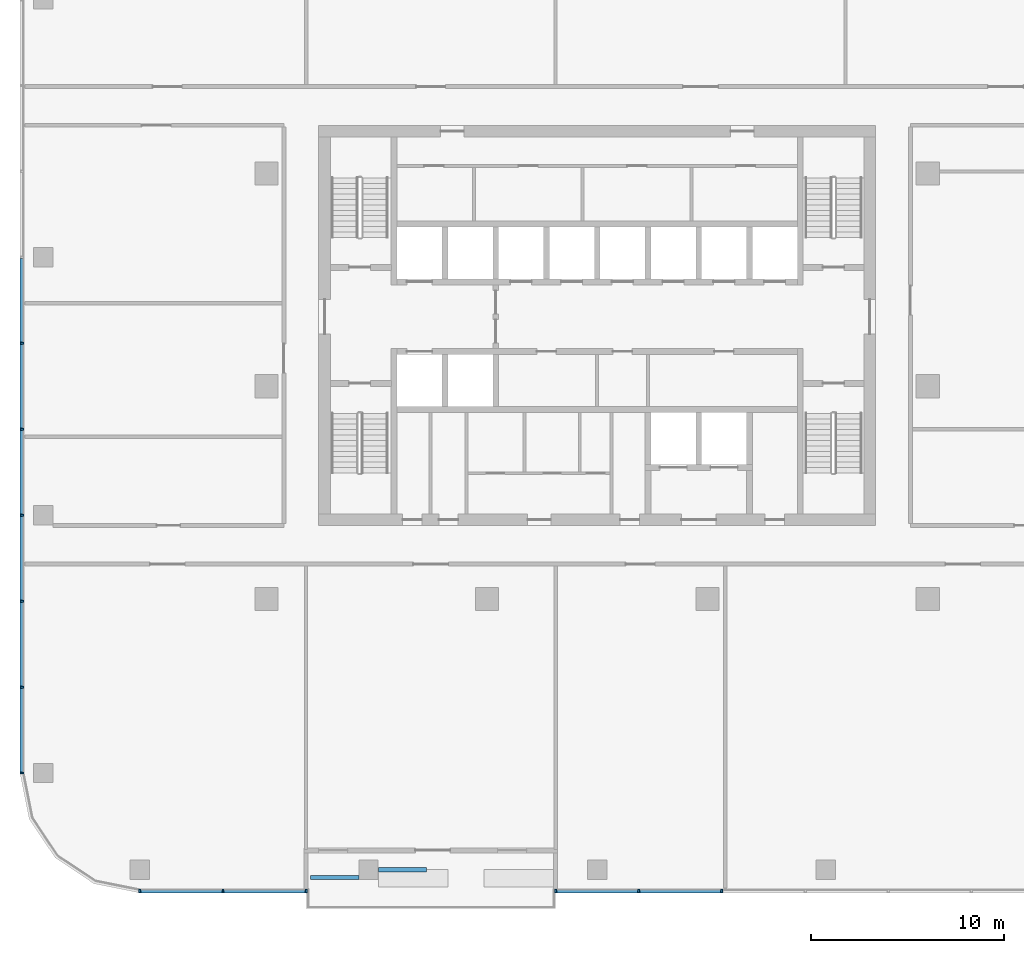
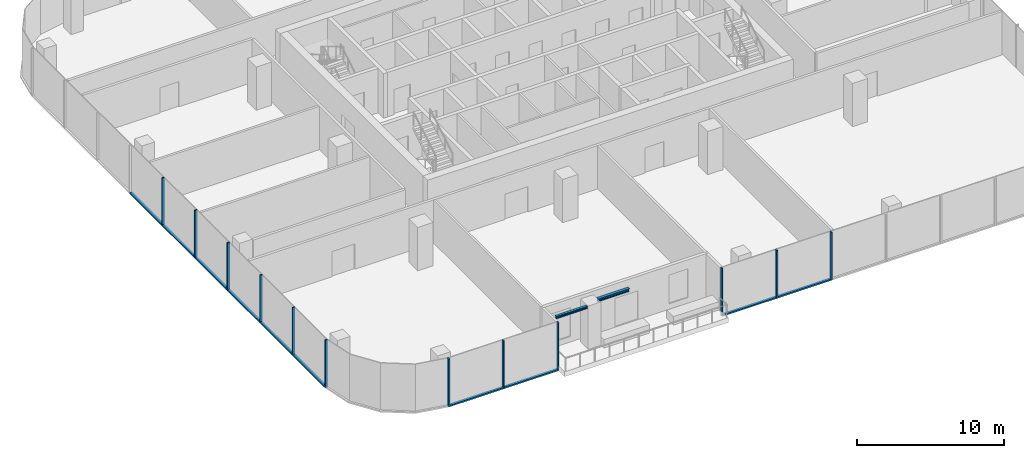
# One storey, part 2 of 13: 22 members, 2 beams, 3 elements without a shape of their own.
"""IFC4 building model written with IfcOpenShell, lengths in metres."""

from ifc_helpers import new_model, si_unit, direction, frame, origin, origin_2d, place, context, subcontext, project, spatial, rectangle, i_section, extrude, material, material_profile, profile_set, type_object, element, aggregate, save


model = new_model("IFC4")

# Units and contexts
model_context = context("Model", 3, precision=1e-05, world=origin(), true_north=direction((0.0, 1.0)))
body_context = subcontext(model_context, "Body", "Model", "MODEL_VIEW")
ifc_project = project(units=[si_unit("LENGTHUNIT", "METRE"), si_unit("AREAUNIT", "SQUARE_METRE"), si_unit("VOLUMEUNIT", "CUBIC_METRE"), si_unit("PLANEANGLEUNIT", "RADIAN"), si_unit("MASSUNIT", "GRAM", prefix="KILO")], contexts=[model_context])

# Site, building, storey
site_placement = place(None, origin())
site = spatial("IfcSite", under=ifc_project, at=site_placement, CompositionType="ELEMENT")
building_placement = place(site_placement, origin())
building = spatial("IfcBuilding", under=site, at=building_placement, Name="Mopane Tessera Tower", CompositionType="ELEMENT")
storey_placement = place(building_placement, frame((0.0, 0.0, 307.39990234375)))
storey = spatial("IfcBuildingStorey", under=building, at=storey_placement, Name="L67", CompositionType="ELEMENT", Elevation=307.39990234375)

# Curtain wall, members
ifc_material_1 = material(Name="Aluminium frame", Category="aluminium")
curtain_wall_type = type_object("IfcCurtainWallType", Name="Unitised curtain wall", PredefinedType="NOTDEFINED", material=ifc_material_1)
curtain_wall_1_placement = place(storey_placement, origin())
curtain_wall_1 = element("IfcCurtainWall", 1, at=curtain_wall_1_placement, inside=storey, type_object=curtain_wall_type, Name="e:cw:L67:S:0", PredefinedType="NOTDEFINED")
ifc_material_2 = material(Name="Aluminium frame", Category="aluminium")
ifc_material_profile_1 = material_profile(ifc_material_2, rectangle(XDim=0.10009765625, YDim=0.199951171875, at=origin_2d()))
ifc_profile_set_1 = profile_set([ifc_material_profile_1], Name="Aluminium frame")
member_type_1 = type_object("IfcMemberType", Name="Aluminium mullion 100 x 200", PredefinedType="MULLION", material=ifc_profile_set_1)
member_1_placement = place(storey_placement, frame((-23.64990234375, -26.10009765625, -0.39990234375), z_axis=(0.0, 0.0, 1.0), x_axis=(1.0, 0.0, 0.0)))
member_1 = element("IfcMember", 2, at=member_1_placement, type_object=member_type_1, Name="e:cw:L67:S:0:mu0", PredefinedType="MULLION", context=body_context, shape_type="SweptSolid", body=[
    extrude(rectangle(XDim=0.10009765625, YDim=0.199951171875, at=origin_2d()), origin(), (0.0, 0.0, 1.0), 4.0),
])
member_2_placement = place(storey_placement, frame((-19.35009765625, -26.10009765625, -0.39990234375), z_axis=(0.0, 0.0, 1.0), x_axis=(1.0, 0.0, 0.0)))
member_2 = element("IfcMember", 3, at=member_2_placement, type_object=member_type_1, Name="e:cw:L67:S:0:mu1", PredefinedType="MULLION", context=body_context, shape_type="SweptSolid", body=[
    extrude(rectangle(XDim=0.10009765625, YDim=0.199951171875, at=origin_2d()), origin(), (0.0, 0.0, 1.0), 4.0),
])
member_3_placement = place(storey_placement, frame((-15.050048828125, -26.10009765625, -0.39990234375), z_axis=(0.0, 0.0, 1.0), x_axis=(1.0, 0.0, 0.0)))
member_3 = element("IfcMember", 4, at=member_3_placement, type_object=member_type_1, Name="e:cw:L67:S:0:mu2", PredefinedType="MULLION", context=body_context, shape_type="SweptSolid", body=[
    extrude(rectangle(XDim=0.10009765625, YDim=0.199951171875, at=origin_2d()), origin(), (0.0, 0.0, 1.0), 4.0),
])

curtain_wall_2_placement = place(storey_placement, origin())
curtain_wall_2 = element("IfcCurtainWall", 5, at=curtain_wall_2_placement, inside=storey, type_object=curtain_wall_type, Name="e:cw:L67:S:5", PredefinedType="NOTDEFINED")
member_4_placement = place(storey_placement, frame((-2.14990234375, -26.10009765625, -0.39990234375), z_axis=(0.0, 0.0, 1.0), x_axis=(1.0, 0.0, 0.0)))
member_4 = element("IfcMember", 6, at=member_4_placement, type_object=member_type_1, Name="e:cw:L67:S:5:mu5", PredefinedType="MULLION", context=body_context, shape_type="SweptSolid", body=[
    extrude(rectangle(XDim=0.10009765625, YDim=0.199951171875, at=origin_2d()), origin(), (0.0, 0.0, 1.0), 4.0),
])
member_5_placement = place(storey_placement, frame((2.14990234375, -26.10009765625, -0.39990234375), z_axis=(0.0, 0.0, 1.0), x_axis=(1.0, 0.0, 0.0)))
member_5 = element("IfcMember", 7, at=member_5_placement, type_object=member_type_1, Name="e:cw:L67:S:5:mu6", PredefinedType="MULLION", context=body_context, shape_type="SweptSolid", body=[
    extrude(rectangle(XDim=0.10009765625, YDim=0.199951171875, at=origin_2d()), origin(), (0.0, 0.0, 1.0), 4.0),
])
member_6_placement = place(storey_placement, frame((6.449951171875, -26.10009765625, -0.39990234375), z_axis=(0.0, 0.0, 1.0), x_axis=(1.0, 0.0, 0.0)))
member_6 = element("IfcMember", 8, at=member_6_placement, type_object=member_type_1, Name="e:cw:L67:S:5:mu7", PredefinedType="MULLION", context=body_context, shape_type="SweptSolid", body=[
    extrude(rectangle(XDim=0.10009765625, YDim=0.199951171875, at=origin_2d()), origin(), (0.0, 0.0, 1.0), 4.0),
])

curtain_wall_3_placement = place(storey_placement, origin())
curtain_wall_3 = element("IfcCurtainWall", 9, at=curtain_wall_3_placement, inside=storey, type_object=curtain_wall_type, Name="e:cw:L67:W:0", PredefinedType="NOTDEFINED")
member_7_placement = place(storey_placement, frame((-29.75, 2.22216796875, -0.39990234375), z_axis=(0.0, 0.0, 1.0), x_axis=(0.0, -1.0, 0.0)))
member_7 = element("IfcMember", 10, at=member_7_placement, type_object=member_type_1, Name="e:cw:L67:W:0:mu4", PredefinedType="MULLION", context=body_context, shape_type="SweptSolid", body=[
    extrude(rectangle(XDim=0.10009765625, YDim=0.199951171875, at=origin_2d()), origin(), (0.0, 0.0, 1.0), 4.0),
])
member_8_placement = place(storey_placement, frame((-29.75, -2.22216796875, -0.39990234375), z_axis=(0.0, 0.0, 1.0), x_axis=(0.0, -1.0, 0.0)))
member_8 = element("IfcMember", 11, at=member_8_placement, type_object=member_type_1, Name="e:cw:L67:W:0:mu5", PredefinedType="MULLION", context=body_context, shape_type="SweptSolid", body=[
    extrude(rectangle(XDim=0.10009765625, YDim=0.199951171875, at=origin_2d()), origin(), (0.0, 0.0, 1.0), 4.0),
])
member_9_placement = place(storey_placement, frame((-29.75, -6.666748046875, -0.39990234375), z_axis=(0.0, 0.0, 1.0), x_axis=(0.0, -1.0, 0.0)))
member_9 = element("IfcMember", 12, at=member_9_placement, type_object=member_type_1, Name="e:cw:L67:W:0:mu6", PredefinedType="MULLION", context=body_context, shape_type="SweptSolid", body=[
    extrude(rectangle(XDim=0.10009765625, YDim=0.199951171875, at=origin_2d()), origin(), (0.0, 0.0, 1.0), 4.0),
])
member_10_placement = place(storey_placement, frame((-29.75, -11.111083984375, -0.39990234375), z_axis=(0.0, 0.0, 1.0), x_axis=(0.0, -1.0, 0.0)))
member_10 = element("IfcMember", 13, at=member_10_placement, type_object=member_type_1, Name="e:cw:L67:W:0:mu7", PredefinedType="MULLION", context=body_context, shape_type="SweptSolid", body=[
    extrude(rectangle(XDim=0.10009765625, YDim=0.199951171875, at=origin_2d()), origin(), (0.0, 0.0, 1.0), 4.0),
])
member_11_placement = place(storey_placement, frame((-29.75, -15.5556640625, -0.39990234375), z_axis=(0.0, 0.0, 1.0), x_axis=(0.0, -1.0, 0.0)))
member_11 = element("IfcMember", 14, at=member_11_placement, type_object=member_type_1, Name="e:cw:L67:W:0:mu8", PredefinedType="MULLION", context=body_context, shape_type="SweptSolid", body=[
    extrude(rectangle(XDim=0.10009765625, YDim=0.199951171875, at=origin_2d()), origin(), (0.0, 0.0, 1.0), 4.0),
])
member_12_placement = place(storey_placement, frame((-29.75, -20.0, -0.39990234375), z_axis=(0.0, 0.0, 1.0), x_axis=(0.0, -1.0, 0.0)))
member_12 = element("IfcMember", 15, at=member_12_placement, type_object=member_type_1, Name="e:cw:L67:W:0:mu9", PredefinedType="MULLION", context=body_context, shape_type="SweptSolid", body=[
    extrude(rectangle(XDim=0.10009765625, YDim=0.199951171875, at=origin_2d()), origin(), (0.0, 0.0, 1.0), 4.0),
])

# Member
ifc_material_3 = material(Name="Aluminium frame", Category="aluminium")
ifc_material_profile_2 = material_profile(ifc_material_3, rectangle(XDim=0.199951171875, YDim=0.1201171875, at=origin_2d()))
ifc_profile_set_2 = profile_set([ifc_material_profile_2], Name="Aluminium frame")
member_type_2 = type_object("IfcMemberType", Name="Aluminium transom 200 x 120", PredefinedType="USERDEFINED", material=ifc_profile_set_2)
member_13_placement = place(storey_placement, frame((-23.60009765625, -26.10009765625, -0.33984375), z_axis=(1.0, 0.0, 0.0), x_axis=(0.0, 1.0, 0.0)))
member_13 = element("IfcMember", 16, at=member_13_placement, type_object=member_type_2, Name="e:cw:L67:S:0:tr0", ObjectType="TRANSOM", PredefinedType="USERDEFINED", context=body_context, shape_type="SweptSolid", body=[
    extrude(rectangle(XDim=0.199951171875, YDim=0.1201171875, at=origin_2d()), origin(), (0.0, 0.0, 1.0), 4.2001953125),
])

member_14_placement = place(storey_placement, frame((-19.300048828125, -26.10009765625, -0.33984375), z_axis=(1.0, 0.0, 0.0), x_axis=(0.0, 1.0, 0.0)))
member_14 = element("IfcMember", 17, at=member_14_placement, type_object=member_type_2, Name="e:cw:L67:S:0:tr1", ObjectType="TRANSOM", PredefinedType="USERDEFINED", context=body_context, shape_type="SweptSolid", body=[
    extrude(rectangle(XDim=0.199951171875, YDim=0.1201171875, at=origin_2d()), origin(), (0.0, 0.0, 1.0), 4.199951171875),
])

aggregate(curtain_wall_1, [member_1, member_2, member_3, member_13, member_14])

member_15_placement = place(storey_placement, frame((-2.10009765625, -26.10009765625, -0.33984375), z_axis=(1.0, 0.0, 0.0), x_axis=(0.0, 1.0, 0.0)))
member_15 = element("IfcMember", 18, at=member_15_placement, type_object=member_type_2, Name="e:cw:L67:S:5:tr5", ObjectType="TRANSOM", PredefinedType="USERDEFINED", context=body_context, shape_type="SweptSolid", body=[
    extrude(rectangle(XDim=0.199951171875, YDim=0.1201171875, at=origin_2d()), origin(), (0.0, 0.0, 1.0), 4.2001953125),
])

member_16_placement = place(storey_placement, frame((2.199951171875, -26.10009765625, -0.33984375), z_axis=(1.0, 0.0, 0.0), x_axis=(0.0, 1.0, 0.0)))
member_16 = element("IfcMember", 19, at=member_16_placement, type_object=member_type_2, Name="e:cw:L67:S:5:tr6", ObjectType="TRANSOM", PredefinedType="USERDEFINED", context=body_context, shape_type="SweptSolid", body=[
    extrude(rectangle(XDim=0.199951171875, YDim=0.1201171875, at=origin_2d()), origin(), (0.0, 0.0, 1.0), 4.199951171875),
])

aggregate(curtain_wall_2, [member_4, member_5, member_6, member_15, member_16])

member_17_placement = place(storey_placement, frame((-29.75, 6.61669921875, -0.33984375), z_axis=(0.0, -1.0, 0.0), x_axis=(1.0, 0.0, 0.0)))
member_17 = element("IfcMember", 20, at=member_17_placement, type_object=member_type_2, Name="e:cw:L67:W:0:tr3", ObjectType="TRANSOM", PredefinedType="USERDEFINED", context=body_context, shape_type="SweptSolid", body=[
    extrude(rectangle(XDim=0.199951171875, YDim=0.1201171875, at=origin_2d()), origin(), (0.0, 0.0, 1.0), 4.344482421875),
])

member_18_placement = place(storey_placement, frame((-29.75, 2.172119140625, -0.33984375), z_axis=(0.0, -1.0, 0.0), x_axis=(1.0, 0.0, 0.0)))
member_18 = element("IfcMember", 21, at=member_18_placement, type_object=member_type_2, Name="e:cw:L67:W:0:tr4", ObjectType="TRANSOM", PredefinedType="USERDEFINED", context=body_context, shape_type="SweptSolid", body=[
    extrude(rectangle(XDim=0.199951171875, YDim=0.1201171875, at=origin_2d()), origin(), (0.0, 0.0, 1.0), 4.34423828125),
])

member_19_placement = place(storey_placement, frame((-29.75, -2.272216796875, -0.33984375), z_axis=(0.0, -1.0, 0.0), x_axis=(1.0, 0.0, 0.0)))
member_19 = element("IfcMember", 22, at=member_19_placement, type_object=member_type_2, Name="e:cw:L67:W:0:tr5", ObjectType="TRANSOM", PredefinedType="USERDEFINED", context=body_context, shape_type="SweptSolid", body=[
    extrude(rectangle(XDim=0.199951171875, YDim=0.1201171875, at=origin_2d()), origin(), (0.0, 0.0, 1.0), 4.344482421875),
])

member_20_placement = place(storey_placement, frame((-29.75, -6.716552734375, -0.33984375), z_axis=(0.0, -1.0, 0.0), x_axis=(1.0, 0.0, 0.0)))
member_20 = element("IfcMember", 23, at=member_20_placement, type_object=member_type_2, Name="e:cw:L67:W:0:tr6", ObjectType="TRANSOM", PredefinedType="USERDEFINED", context=body_context, shape_type="SweptSolid", body=[
    extrude(rectangle(XDim=0.199951171875, YDim=0.1201171875, at=origin_2d()), origin(), (0.0, 0.0, 1.0), 4.344482421875),
])

member_21_placement = place(storey_placement, frame((-29.75, -11.1611328125, -0.33984375), z_axis=(0.0, -1.0, 0.0), x_axis=(1.0, 0.0, 0.0)))
member_21 = element("IfcMember", 24, at=member_21_placement, type_object=member_type_2, Name="e:cw:L67:W:0:tr7", ObjectType="TRANSOM", PredefinedType="USERDEFINED", context=body_context, shape_type="SweptSolid", body=[
    extrude(rectangle(XDim=0.199951171875, YDim=0.1201171875, at=origin_2d()), origin(), (0.0, 0.0, 1.0), 4.344482421875),
])

member_22_placement = place(storey_placement, frame((-29.75, -15.60546875, -0.33984375), z_axis=(0.0, -1.0, 0.0), x_axis=(1.0, 0.0, 0.0)))
member_22 = element("IfcMember", 25, at=member_22_placement, type_object=member_type_2, Name="e:cw:L67:W:0:tr8", ObjectType="TRANSOM", PredefinedType="USERDEFINED", context=body_context, shape_type="SweptSolid", body=[
    extrude(rectangle(XDim=0.199951171875, YDim=0.1201171875, at=origin_2d()), origin(), (0.0, 0.0, 1.0), 4.344482421875),
])

aggregate(curtain_wall_3, [member_7, member_8, member_9, member_10, member_11, member_12, member_17, member_18, member_19, member_20, member_21, member_22])

# Beams
ifc_material_4 = material(Name="Structural steel S460", Category="steel")
ifc_material_profile_3 = material_profile(ifc_material_4, i_section(OverallWidth=0.239990234375, OverallDepth=0.239990234375, WebThickness=0.010009765625, FlangeThickness=0.01708984375, FilletRadius=0.02099609375, at=origin_2d()))
ifc_profile_set_3 = profile_set([ifc_material_profile_3], Name="Structural steel S460")
beam_type_1 = type_object("IfcBeamType", Name="Terrace spandrel beam HE 240 B", PredefinedType="SPANDREL", material=ifc_profile_set_3)
beam_1_placement = place(storey_placement, frame((-11.322021484375, -25.0, 3.47998046875), z_axis=(1.0, 0.0, 0.0), x_axis=(0.0, 1.0, 0.0)))
element("IfcBeam", 26, at=beam_1_placement, inside=storey, type_object=beam_type_1, Name="Terrace spandrel beam N3 L68", PredefinedType="SPANDREL", context=body_context, shape_type="SweptSolid", body=[
    extrude(i_section(OverallWidth=0.239990234375, OverallDepth=0.239990234375, WebThickness=0.010009765625, FlangeThickness=0.01708984375, FilletRadius=0.02099609375, at=origin_2d()), origin(), (0.0, 0.0, 1.0), 2.5),
])
ifc_material_5 = material(Name="Structural steel S460", Category="steel")
ifc_material_profile_4 = material_profile(ifc_material_5, i_section(OverallWidth=0.199951171875, OverallDepth=0.199951171875, WebThickness=0.009033203125, FlangeThickness=0.014892578125, FilletRadius=0.01806640625, at=origin_2d()))
ifc_profile_set_4 = profile_set([ifc_material_profile_4], Name="Structural steel S460")
beam_type_2 = type_object("IfcBeamType", Name="Terrace trimmer beam HE 200 B", PredefinedType="BEAM", material=ifc_profile_set_4)
beam_2_placement = place(storey_placement, frame((-12.327880859375, -25.39990234375, 3.5), z_axis=(-1.0, 0.0, 0.0), x_axis=(0.0, -1.0, 0.0)))
element("IfcBeam", 27, at=beam_2_placement, inside=storey, type_object=beam_type_2, Name="Terrace trimmer beam N3 L68", PredefinedType="BEAM", context=body_context, shape_type="SweptSolid", body=[
    extrude(i_section(OverallWidth=0.199951171875, OverallDepth=0.199951171875, WebThickness=0.009033203125, FlangeThickness=0.014892578125, FilletRadius=0.01806640625, at=origin_2d()), origin(), (0.0, 0.0, 1.0), 2.5),
])

save(model, "model.ifc")
